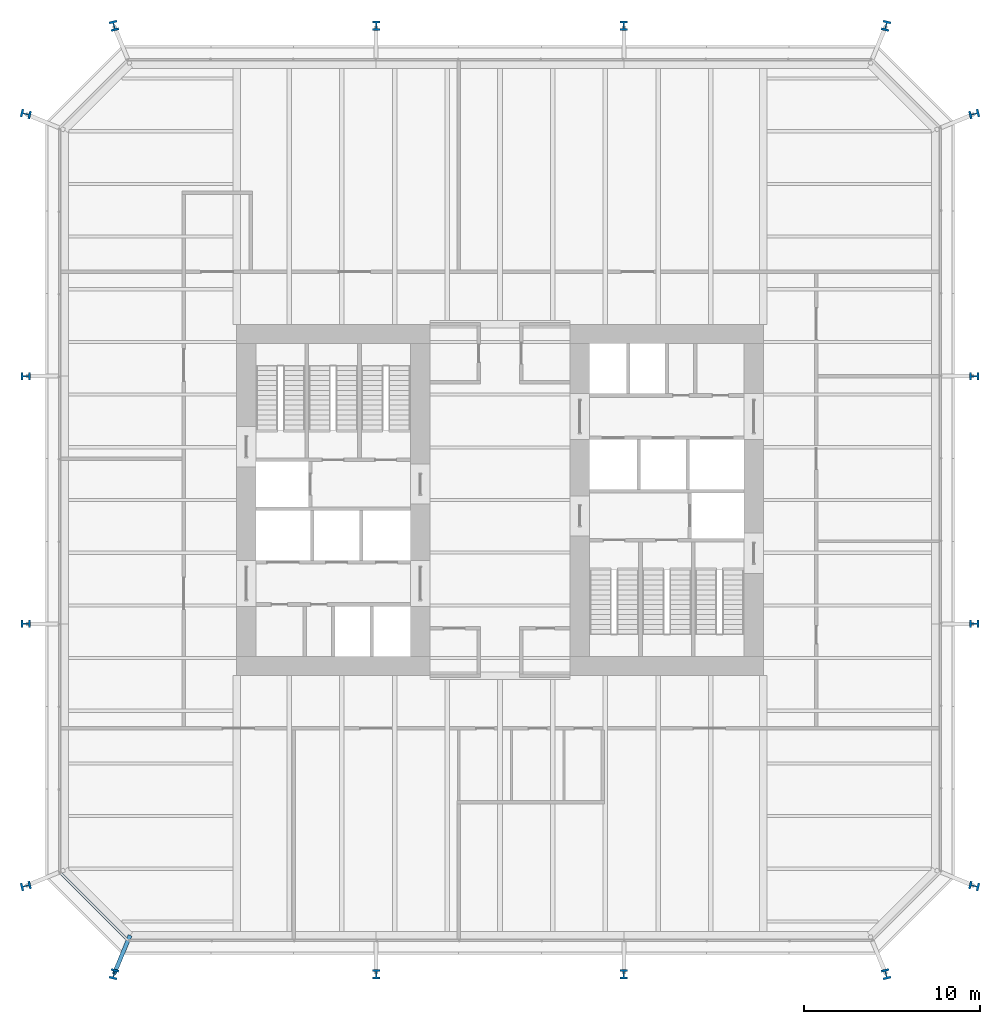
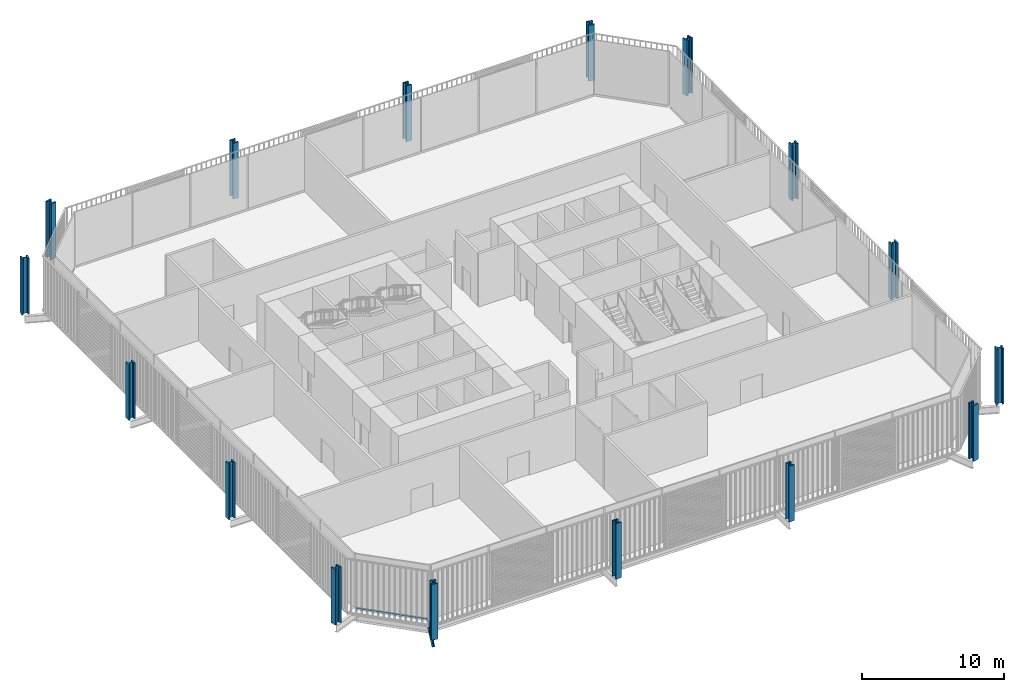
# One storey, part 1 of 22: 16 columns, 1 beam, 1 member, 1 element without a shape of its own.
"""IFC4 building model written with IfcOpenShell, lengths in metres."""

from ifc_helpers import new_model, si_unit, direction, frame, origin, origin_2d, place, context, subcontext, project, spatial, rectangle, i_section, extrude, material, layer, layer_set, material_profile, profile_set, type_object, element, aggregate, save


model = new_model("IFC4")

# Units and contexts
model_context = context("Model", 3, precision=1e-05, world=origin(), true_north=direction((0.0, 1.0)))
body_context = subcontext(model_context, "Body", "Model", "MODEL_VIEW")
ifc_project = project(units=[si_unit("LENGTHUNIT", "METRE"), si_unit("AREAUNIT", "SQUARE_METRE"), si_unit("VOLUMEUNIT", "CUBIC_METRE"), si_unit("PLANEANGLEUNIT", "RADIAN"), si_unit("MASSUNIT", "GRAM", prefix="KILO")], contexts=[model_context])

# Site, building, storey
site_placement = place(None, origin())
site = spatial("IfcSite", under=ifc_project, at=site_placement, CompositionType="ELEMENT")
building_placement = place(site_placement, origin())
building = spatial("IfcBuilding", under=site, at=building_placement, Name="Millrace Tower", CompositionType="ELEMENT")
storey_placement = place(building_placement, frame((0.0, 0.0, 25.699951171875)))
storey = spatial("IfcBuildingStorey", under=building, at=storey_placement, Name="L06", CompositionType="ELEMENT", Elevation=25.699951171875)

# Columns
ifc_material_1 = material(Name="Steel ASTM A913 Grade 65", Category="steel")
ifc_material_profile_1 = material_profile(ifc_material_1, i_section(OverallWidth=0.44189453125, OverallDepth=0.53076171875, WebThickness=0.06591796875, FlangeThickness=0.105712890625, FilletRadius=0.01513671875, at=origin_2d()))
ifc_profile_set_1 = profile_set([ifc_material_profile_1], Name="Steel ASTM A913 Grade 65")
column_type_1 = type_object("IfcColumnType", Name="Exoskeleton column W14x605", PredefinedType="COLUMN", material=ifc_profile_set_1)
for number, where, z_axis, x_axis, name in (
    (1, (-7.050048828125, -27.0, 0.0), (0.0, 0.0, 1.0), (1.0, 0.0, 0.0), "COL-A-L06-X03"),
    (2, (7.050048828125, -27.0, 0.0), (0.0, 0.0, 1.0), (1.0, 0.0, 0.0), "COL-A-L06-X04"),
    (3, (27.0, -7.050048828125, 0.0), (0.0, 0.0, 1.0), (0.0, 1.0, 0.0), "COL-A-L06-X07"),
    (4, (27.0, 7.050048828125, 0.0), (0.0, 0.0, 1.0), (0.0, 1.0, 0.0), "COL-A-L06-X08"),
    (5, (7.050048828125, 27.0, 0.0), (0.0, 0.0, 1.0), (-1.0, 0.0, 0.0), "COL-A-L06-X11"),
    (6, (-7.050048828125, 27.0, 0.0), (0.0, 0.0, 1.0), (-1.0, 0.0, 0.0), "COL-A-L06-X12"),
    (7, (-27.0, 7.050048828125, 0.0), (0.0, 0.0, 1.0), (0.0, -1.0, 0.0), "COL-A-L06-X15"),
    (8, (-27.0, -7.050048828125, 0.0), (0.0, 0.0, 1.0), (0.0, -1.0, 0.0), "COL-A-L06-X16"),
):
    element("IfcColumn", number, at=place(storey_placement, frame(where, z_axis=z_axis, x_axis=x_axis)), inside=storey, type_object=column_type_1, Name=name, PredefinedType="COLUMN", context=body_context, shape_type="SweptSolid", body=[
        extrude(i_section(OverallWidth=0.44189453125, OverallDepth=0.53076171875, WebThickness=0.06591796875, FlangeThickness=0.105712890625, FilletRadius=0.01513671875, at=origin_2d()), origin(), (0.0, 0.0, 1.0), 4.800048828125),
    ])
ifc_material_2 = material(Name="Steel ASTM A913 Grade 65", Category="steel")
ifc_material_profile_2 = material_profile(ifc_material_2, i_section(OverallWidth=0.45458984375, OverallDepth=0.56884765625, WebThickness=0.077880859375, FlangeThickness=0.124755859375, FilletRadius=0.01513671875, at=origin_2d()))
ifc_profile_set_2 = profile_set([ifc_material_profile_2], Name="Steel ASTM A913 Grade 65")
column_type_2 = type_object("IfcColumnType", Name="Exoskeleton column W14x730", PredefinedType="COLUMN", material=ifc_profile_set_2)
for number, where, z_axis, x_axis, name in (
    (9, (-27.0, -21.978515625, 0.0), (0.0, 0.0, 1.0), (0.244094142872, -0.969751540043, 0.0), "COL-A-L06-X01"),
    (10, (-21.978515625, -27.0, 0.0), (0.0, 0.0, 1.0), (0.969751540043, -0.244094142872, 0.0), "COL-A-L06-X02"),
    (11, (21.978515625, -27.0, 0.0), (0.0, 0.0, 1.0), (0.969751540043, 0.244094142872, 0.0), "COL-A-L06-X05"),
    (12, (27.0, -21.978515625, 0.0), (0.0, 0.0, 1.0), (0.244094142872, 0.969751540043, 0.0), "COL-A-L06-X06"),
    (13, (27.0, 21.978515625, 0.0), (0.0, 0.0, 1.0), (-0.244094142872, 0.969751540043, 0.0), "COL-A-L06-X09"),
    (14, (21.978515625, 27.0, 0.0), (0.0, 0.0, 1.0), (-0.969751540043, 0.244094142872, 0.0), "COL-A-L06-X10"),
    (15, (-21.978515625, 27.0, 0.0), (0.0, 0.0, 1.0), (-0.969751540043, -0.244094142872, 0.0), "COL-A-L06-X13"),
    (16, (-27.0, 21.978515625, 0.0), (0.0, 0.0, 1.0), (-0.244094142872, -0.969751540043, 0.0), "COL-A-L06-X14"),
):
    element("IfcColumn", number, at=place(storey_placement, frame(where, z_axis=z_axis, x_axis=x_axis)), inside=storey, type_object=column_type_2, Name=name, PredefinedType="COLUMN", context=body_context, shape_type="SweptSolid", body=[
        extrude(i_section(OverallWidth=0.45458984375, OverallDepth=0.56884765625, WebThickness=0.077880859375, FlangeThickness=0.124755859375, FilletRadius=0.01513671875, at=origin_2d()), origin(), (0.0, 0.0, 1.0), 4.800048828125),
    ])

# Curtain wall, member
ifc_material_3 = material(Name="Aluminium and glass", Category="aluminium")
ifc_layer = layer(ifc_material_3, 0.14990234375)
ifc_layer_set = layer_set([ifc_layer], Name="Aluminium and glass")
curtain_wall_type = type_object("IfcCurtainWallType", Name="CW-2 data hall insulated curtain wall", PredefinedType="NOTDEFINED", material=ifc_layer_set)
curtain_wall_placement = place(storey_placement, origin())
curtain_wall = element("IfcCurtainWall", 17, at=curtain_wall_placement, inside=storey, type_object=curtain_wall_type, Name="Curtain wall A-F01 L06", PredefinedType="NOTDEFINED")
ifc_material_4 = material(Name="Aluminium", Category="aluminium")
ifc_material_profile_3 = material_profile(ifc_material_4, rectangle(XDim=0.14990234375, YDim=0.159912109375, at=origin_2d()))
ifc_profile_set_3 = profile_set([ifc_material_profile_3], Name="Aluminium")
member_type = type_object("IfcMemberType", Name="CW-2 data hall insulated curtain wall transom", PredefinedType="USERDEFINED", material=ifc_profile_set_3)
member_placement = place(storey_placement, frame((-24.982421875, -21.273681640625, 0.080078125), z_axis=(0.707106781187, -0.707106781187, 0.0), x_axis=(0.707106781187, 0.707106781187, 0.0)))
member = element("IfcMember", 18, at=member_placement, type_object=member_type, Name="CW2 transom A-F01.1", ObjectType="TRANSOM", PredefinedType="USERDEFINED", context=body_context, shape_type="SweptSolid", body=[
    extrude(rectangle(XDim=0.14990234375, YDim=0.159912109375, at=origin_2d()), origin(), (0.0, 0.0, 1.0), 5.244873046875),
])
aggregate(curtain_wall, [member])

# Beam
ifc_material_5 = material(Name="Steel ASTM A992 Grade 50", Category="steel")
ifc_material_profile_4 = material_profile(ifc_material_5, i_section(OverallWidth=0.23046875, OverallDepth=0.6171875, WebThickness=0.01318359375, FlangeThickness=0.022216796875, FilletRadius=0.012939453125, at=origin_2d()))
ifc_profile_set_4 = profile_set([ifc_material_profile_4], Name="Steel ASTM A992 Grade 50")
beam_type = type_object("IfcBeamType", Name="Link beam W24x94", PredefinedType="BEAM", material=ifc_profile_set_4)
beam_placement = place(storey_placement, frame((-21.062744140625, -24.7890625, -0.533447265625), z_axis=(-0.382673155247, -0.923883789366, 0.0), x_axis=(0.923883789366, -0.382673155247, 0.0)))
element("IfcBeam", 19, at=beam_placement, inside=storey, type_object=beam_type, Name="LNK-A-L06-S1-16", PredefinedType="BEAM", context=body_context, shape_type="SweptSolid", body=[
    extrude(i_section(OverallWidth=0.23046875, OverallDepth=0.6171875, WebThickness=0.01318359375, FlangeThickness=0.022216796875, FilletRadius=0.012939453125, at=origin_2d()), origin(), (0.0, 0.0, 1.0), 2.39306640625),
])

save(model, "model.ifc")
